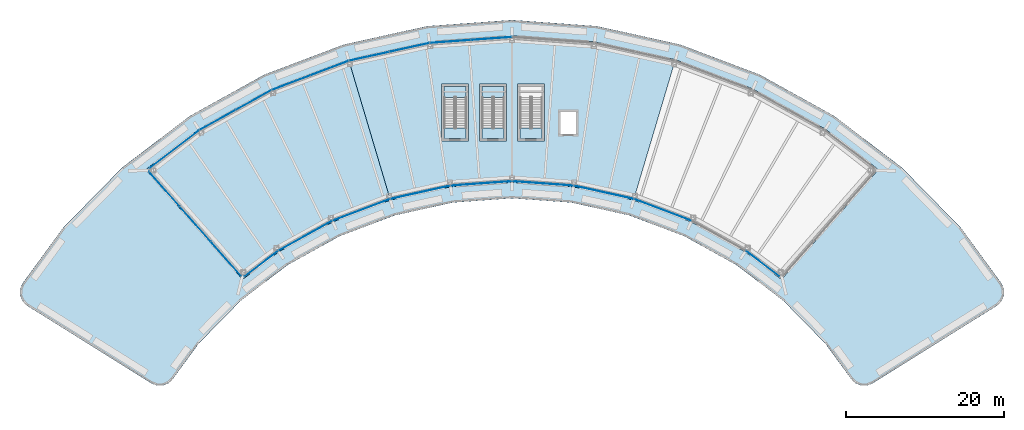
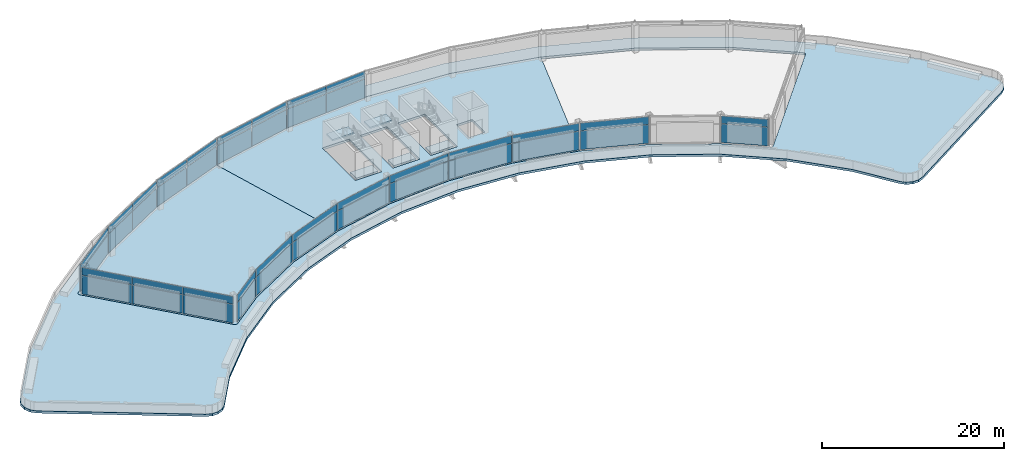
# One storey, part 12 of 17: 42 plates, 8 slabs, 17 elements without a shape of their own.
"""IFC4 building model written with IfcOpenShell, lengths in metres."""

import ifcopenshell
import ifcopenshell.guid

model = None  # the IFC model being written
_history = None  # IfcOwnerHistory: only IFC2X3 demands one
_inside = {}  # id of a spatial element -> (the spatial element, [elements in it])
_under = {}  # id of a project, library or spatial element -> (it, [spatial elements below it])
_declared = {}  # id of a project -> (the project, [libraries it declares])
_typed = {}  # id of a type object -> (the type object, [elements of that type])
_made_of = {}  # id of a material, layer set ... -> (it, [elements and type objects made of it])


def new_model(schema):
    """Start an empty IFC model of exactly this schema.

    Asked for "IFC4X3", IfcOpenShell would pick the latest addendum, in which some entities
    have other attributes; the version numbers below select the first issue.
    IFC2X3 requires an IfcOwnerHistory on every rooted entity: one is made here for all.
    """
    global model, _history
    if schema == "IFC4X3":
        model = ifcopenshell.file(schema_version=(4, 3, 0, 0))
    else:
        model = ifcopenshell.file(schema=schema)
    _inside.clear()
    _under.clear()
    _declared.clear()
    _typed.clear()
    _made_of.clear()
    _history = None
    if model.schema == "IFC2X3":
        org = make("IfcOrganization", Name="unknown")
        user = make(
            "IfcPersonAndOrganization",
            ThePerson=make("IfcPerson", FamilyName="unknown"),
            TheOrganization=org,
        )
        app = make(
            "IfcApplication",
            ApplicationDeveloper=org,
            Version="unknown",
            ApplicationFullName="unknown",
            ApplicationIdentifier="unknown",
        )
        _history = make(
            "IfcOwnerHistory",
            OwningUser=user,
            OwningApplication=app,
            ChangeAction="ADDED",
            CreationDate=0,
        )
    return model


def make(cls, **values):
    """One entity of the class cls with the attributes given. An attribute that is None is left unset."""
    return model.create_entity(
        cls, **{name: value for name, value in values.items() if value is not None}
    )


def rooted(cls, **values):
    """An entity with a GlobalId (a new one), such as an element, a storey or a relation."""
    return make(cls, GlobalId=ifcopenshell.guid.new(), OwnerHistory=_history, **values)


def si_unit(unit_type, name, prefix=None):
    """IfcSIUnit, for example si_unit("LENGTHUNIT", "METRE", prefix="MILLI")."""
    return make("IfcSIUnit", UnitType=unit_type, Prefix=prefix, Name=name)


def assignment(units):
    """IfcUnitAssignment: the units of a project."""
    return None if units is None else make("IfcUnitAssignment", Units=units)


def point(xyz):
    """IfcCartesianPoint."""
    return None if xyz is None else make("IfcCartesianPoint", Coordinates=xyz)


def direction(xyz):
    """IfcDirection."""
    return None if xyz is None else make("IfcDirection", DirectionRatios=xyz)


def frame(location, z_axis=None, x_axis=None):
    """IfcAxis2Placement3D, a coordinate frame: its origin and axes. An axis left out is left unset."""
    return make(
        "IfcAxis2Placement3D",
        Location=point(location),
        Axis=direction(z_axis),
        RefDirection=direction(x_axis),
    )


def frame_2d(location, x_axis=None):
    """IfcAxis2Placement2D, a coordinate frame in the plane: its origin and x axis."""
    return make(
        "IfcAxis2Placement2D", Location=point(location), RefDirection=direction(x_axis)
    )


def origin():
    """The frame at (0, 0, 0) with its axes left unset."""
    return frame((0.0, 0.0, 0.0))


def origin_2d():
    """The frame at (0, 0) in the plane with its x axis left unset."""
    return frame_2d((0.0, 0.0))


def place(relative_to, where):
    """IfcLocalPlacement: puts the frame where relative to a parent placement (None: the world)."""
    return make(
        "IfcLocalPlacement", PlacementRelTo=relative_to, RelativePlacement=where
    )


def context(
    kind, dimensions, precision=None, world=None, true_north=None, identifier=None
):
    """IfcGeometricRepresentationContext, for example the 3D "Model" context."""
    return make(
        "IfcGeometricRepresentationContext",
        ContextIdentifier=identifier,
        ContextType=kind,
        CoordinateSpaceDimension=dimensions,
        Precision=precision,
        WorldCoordinateSystem=world,
        TrueNorth=true_north,
    )


def subcontext(parent, identifier, kind, view, scale=None):
    """IfcGeometricRepresentationSubContext, for example "Body" below "Model"."""
    return make(
        "IfcGeometricRepresentationSubContext",
        ContextIdentifier=identifier,
        ContextType=kind,
        ParentContext=parent,
        TargetScale=scale,
        TargetView=view,
    )


def project(units=None, contexts=None):
    """IfcProject with its units and contexts."""
    return rooted(
        "IfcProject",
        Name="project",
        RepresentationContexts=contexts,
        UnitsInContext=assignment(units),
    )


def spatial(cls, under=None, at=None, **own):
    """A site, building, storey or space (cls), placed at a placement, below another one or the project."""
    s = rooted(cls, ObjectPlacement=at, **own)
    if under is not None:
        _under.setdefault(under.id(), (under, []))[1].append(s)
    return s


def polyline(points):
    """IfcPolyline through the points."""
    return make("IfcPolyline", Points=[point(p) for p in points])


def profile(cls, at=None, kind="AREA", **sizes):
    """A parametric profile (cls). Its sizes go by their IFC names, for example OverallWidth=200.0."""
    return make(cls, ProfileType=kind, Position=at, **sizes)


def rectangle(**sizes):
    """IfcRectangleProfileDef."""
    return profile("IfcRectangleProfileDef", **sizes)


def outline(outer, holes=None, kind="AREA"):
    """IfcArbitraryClosedProfileDef: a profile drawn as a closed curve; with holes, ...WithVoids."""
    if holes is None:
        return make("IfcArbitraryClosedProfileDef", ProfileType=kind, OuterCurve=outer)
    return make(
        "IfcArbitraryProfileDefWithVoids",
        ProfileType=kind,
        OuterCurve=outer,
        InnerCurves=holes,
    )


def extrude(swept, where, along, depth):
    """IfcExtrudedAreaSolid: the profile swept, set in the frame where, extruded along a direction by depth."""
    return make(
        "IfcExtrudedAreaSolid",
        SweptArea=swept,
        Position=where,
        ExtrudedDirection=direction(along),
        Depth=depth,
    )


def shape(context_of_items, identifier, shape_type, items):
    """IfcShapeRepresentation: the items that make up one representation, for example the "Body"."""
    return make(
        "IfcShapeRepresentation",
        ContextOfItems=context_of_items,
        RepresentationIdentifier=identifier,
        RepresentationType=shape_type,
        Items=items,
    )


def material(Name=None, Category=None):
    """IfcMaterial."""
    return make("IfcMaterial", Name=Name, Category=Category)


def layer(
    of_material, thickness, ventilated=None, Name=None, Category=None, Priority=None
):
    """IfcMaterialLayer: one layer of a wall or slab, of a material (None: an air gap)."""
    return make(
        "IfcMaterialLayer",
        Material=of_material,
        LayerThickness=thickness,
        IsVentilated=ventilated,
        Name=Name,
        Category=Category,
        Priority=Priority,
    )


def layer_set(layers, Name=None):
    """IfcMaterialLayerSet."""
    return make("IfcMaterialLayerSet", MaterialLayers=layers, LayerSetName=Name)


def made_of(thing, what):
    """Note that an element or type object is made of a material, layer set ...; save() writes the relation."""
    if what is not None:
        _made_of.setdefault(what.id(), (what, []))[1].append(thing)
    return thing


def type_object(cls, material=None, **own):
    """A type object (cls), such as IfcWallType, which elements share."""
    return made_of(rooted(cls, **own), material)


def element(
    cls,
    number,
    at=None,
    inside=None,
    cuts=None,
    type_object=None,
    material=None,
    context=None,
    identifier="Body",
    shape_type=None,
    held_by="IfcProductDefinitionShape",
    body=None,
    shapes=None,
    **own,
):
    """One element of the class cls, such as IfcWall. Its Tag is "e" and its number.

    at: its placement. inside: the storey or other place that contains it. cuts: it is an
    opening in that element (IfcRelVoidsElement). A single representation is given by context,
    identifier, shape_type and body (its items); several are given by shapes. held_by: the class
    of the entity that holds the representations. save() writes the other relations.
    """
    e = rooted(cls, Tag="e%d" % number, ObjectPlacement=at, **own)
    if body is not None:
        shapes = [shape(context, identifier, shape_type, body)]
    if shapes is not None:
        e.Representation = make(held_by, Representations=shapes)
    if inside is not None:
        _inside.setdefault(inside.id(), (inside, []))[1].append(e)
    if cuts is not None:
        rooted(
            "IfcRelVoidsElement", RelatingBuildingElement=cuts, RelatedOpeningElement=e
        )
    if type_object is not None:
        _typed.setdefault(type_object.id(), (type_object, []))[1].append(e)
    return made_of(e, material)


def aggregate(whole, parts):
    """IfcRelAggregates: a whole, such as a stair, and the parts it consists of."""
    return rooted("IfcRelAggregates", RelatingObject=whole, RelatedObjects=parts)


def save(model, path):
    """Write the relations noted so far, then the file.

    IfcRelAggregates (storeys below a building ...), IfcRelContainedInSpatialStructure (elements
    in a storey), IfcRelDefinesByType, IfcRelAssociatesMaterial and IfcRelDeclares: one each for
    every whole, place, type object, material and project.
    """
    for whole, parts in _under.values():
        aggregate(whole, parts)
    for where, things in _inside.values():
        rooted(
            "IfcRelContainedInSpatialStructure",
            RelatedElements=things,
            RelatingStructure=where,
        )
    for kind, things in _typed.values():
        rooted("IfcRelDefinesByType", RelatedObjects=things, RelatingType=kind)
    for what, things in _made_of.values():
        rooted("IfcRelAssociatesMaterial", RelatedObjects=things, RelatingMaterial=what)
    for by, libraries in _declared.values():
        rooted("IfcRelDeclares", RelatingContext=by, RelatedDefinitions=libraries)
    model.write(path)


model = new_model("IFC4")

# Units and contexts
model_context = context("Model", 3, precision=1e-05, world=origin(), true_north=direction((0.0, 1.0)))
body_context = subcontext(model_context, "Body", "Model", "MODEL_VIEW")
ifc_project = project(units=[si_unit("LENGTHUNIT", "METRE"), si_unit("AREAUNIT", "SQUARE_METRE"), si_unit("VOLUMEUNIT", "CUBIC_METRE"), si_unit("PLANEANGLEUNIT", "RADIAN"), si_unit("MASSUNIT", "GRAM", prefix="KILO")], contexts=[model_context])

# Site, building, storey
site_placement = place(None, origin())
site = spatial("IfcSite", under=ifc_project, at=site_placement, CompositionType="ELEMENT")
building_placement = place(site_placement, origin())
building = spatial("IfcBuilding", under=site, at=building_placement, Name="Tuul Gate Civic Tower", CompositionType="ELEMENT")
storey_placement = place(building_placement, frame((0.0, 0.0, 360.10009765625)))
storey = spatial("IfcBuildingStorey", under=building, at=storey_placement, Name="Crown tier 1 lower", CompositionType="ELEMENT", Elevation=360.10009765625)

# Curtain wall, plates
ifc_material_1 = material(Name="Aluminium", Category="aluminium")
ifc_layer_1 = layer(ifc_material_1, 0.199951171875)
ifc_layer_set_1 = layer_set([ifc_layer_1], Name="Aluminium")
curtain_wall_type = type_object("IfcCurtainWallType", Name="Curtain wall CW5", PredefinedType="NOTDEFINED", material=ifc_layer_set_1)
curtain_wall_1_placement = place(storey_placement, origin())
curtain_wall_1 = element("IfcCurtainWall", 1, at=curtain_wall_1_placement, inside=storey, type_object=curtain_wall_type, Name="Curtain wall CW5", PredefinedType="NOTDEFINED")
ifc_material_2 = material(Name="Insulated glass", Category="glass")
ifc_layer_2 = layer(ifc_material_2, 0.030029296875)
ifc_layer_set_2 = layer_set([ifc_layer_2], Name="Insulated glass")
plate_type = type_object("IfcPlateType", Name="CW5 panel", PredefinedType="CURTAIN_PANEL", material=ifc_layer_set_2)
plate_1_placement = place(storey_placement, frame((-0.429443359375, 12.084228515625, 0.06005859375), z_axis=(0.0, 0.0, 1.0), x_axis=(-0.997388292751, -0.072225988978, 0.0)))
plate_1 = element("IfcPlate", 2, at=plate_1_placement, type_object=plate_type, Name="Panel", PredefinedType="CURTAIN_PANEL", context=body_context, shape_type="SweptSolid", body=[
    extrude(rectangle(XDim=5.13671875, YDim=0.030029296875, at=origin_2d()), origin(), (0.0, 0.0, 1.0), 2.510009765625),
])
plate_2_placement = place(storey_placement, frame((-0.429443359375, 12.084228515625, 2.6298828125), z_axis=(0.0, 0.0, 1.0), x_axis=(-0.997388292751, -0.072225988978, 0.0)))
plate_2 = element("IfcPlate", 3, at=plate_2_placement, type_object=plate_type, Name="Panel", PredefinedType="CURTAIN_PANEL", context=body_context, shape_type="SweptSolid", body=[
    extrude(rectangle(XDim=5.13671875, YDim=0.030029296875, at=origin_2d()), origin(), (0.0, 0.0, 1.0), 1.010009765625),
])
plate_3_placement = place(storey_placement, frame((-5.612548828125, 11.708740234375, 0.06005859375), z_axis=(0.0, 0.0, 1.0), x_axis=(-0.997388292751, -0.072225988978, 0.0)))
plate_3 = element("IfcPlate", 4, at=plate_3_placement, type_object=plate_type, Name="Panel", PredefinedType="CURTAIN_PANEL", context=body_context, shape_type="SweptSolid", body=[
    extrude(rectangle(XDim=5.13671875, YDim=0.030029296875, at=origin_2d()), origin(), (0.0, 0.0, 1.0), 2.510009765625),
])
plate_4_placement = place(storey_placement, frame((-5.612548828125, 11.708740234375, 2.6298828125), z_axis=(0.0, 0.0, 1.0), x_axis=(-0.997388292751, -0.072225988978, 0.0)))
plate_4 = element("IfcPlate", 5, at=plate_4_placement, type_object=plate_type, Name="Panel", PredefinedType="CURTAIN_PANEL", context=body_context, shape_type="SweptSolid", body=[
    extrude(rectangle(XDim=5.13671875, YDim=0.030029296875, at=origin_2d()), origin(), (0.0, 0.0, 1.0), 1.010009765625),
])
aggregate(curtain_wall_1, [plate_1, plate_2, plate_3, plate_4])

curtain_wall_2_placement = place(storey_placement, origin())
curtain_wall_2 = element("IfcCurtainWall", 6, at=curtain_wall_2_placement, inside=storey, type_object=curtain_wall_type, Name="Curtain wall CW5", PredefinedType="NOTDEFINED")
plate_5_placement = place(storey_placement, frame((-10.80029296875, 10.953369140625, 0.06005859375), z_axis=(0.0, 0.0, 1.0), x_axis=(-0.976554839429, -0.215268775226, 0.0)))
plate_5 = element("IfcPlate", 7, at=plate_5_placement, type_object=plate_type, Name="Panel", PredefinedType="CURTAIN_PANEL", context=body_context, shape_type="SweptSolid", body=[
    extrude(rectangle(XDim=5.135986328125, YDim=0.030029296875, at=origin_2d()), origin(), (0.0, 0.0, 1.0), 2.510009765625),
])
plate_6_placement = place(storey_placement, frame((-10.80029296875, 10.953369140625, 2.6298828125), z_axis=(0.0, 0.0, 1.0), x_axis=(-0.976554839429, -0.215268775226, 0.0)))
plate_6 = element("IfcPlate", 8, at=plate_6_placement, type_object=plate_type, Name="Panel", PredefinedType="CURTAIN_PANEL", context=body_context, shape_type="SweptSolid", body=[
    extrude(rectangle(XDim=5.135986328125, YDim=0.030029296875, at=origin_2d()), origin(), (0.0, 0.0, 1.0), 1.010009765625),
])
plate_7_placement = place(storey_placement, frame((-15.87451171875, 9.834716796875, 0.06005859375), z_axis=(0.0, 0.0, 1.0), x_axis=(-0.976554839429, -0.215268775226, 0.0)))
plate_7 = element("IfcPlate", 9, at=plate_7_placement, type_object=plate_type, Name="Panel", PredefinedType="CURTAIN_PANEL", context=body_context, shape_type="SweptSolid", body=[
    extrude(rectangle(XDim=5.135986328125, YDim=0.030029296875, at=origin_2d()), origin(), (0.0, 0.0, 1.0), 2.510009765625),
])
plate_8_placement = place(storey_placement, frame((-15.87451171875, 9.834716796875, 2.6298828125), z_axis=(0.0, 0.0, 1.0), x_axis=(-0.976554839429, -0.215268775226, 0.0)))
plate_8 = element("IfcPlate", 10, at=plate_8_placement, type_object=plate_type, Name="Panel", PredefinedType="CURTAIN_PANEL", context=body_context, shape_type="SweptSolid", body=[
    extrude(rectangle(XDim=5.135986328125, YDim=0.030029296875, at=origin_2d()), origin(), (0.0, 0.0, 1.0), 1.010009765625),
])
aggregate(curtain_wall_2, [plate_5, plate_6, plate_7, plate_8])

curtain_wall_3_placement = place(storey_placement, origin())
curtain_wall_3 = element("IfcCurtainWall", 11, at=curtain_wall_3_placement, inside=storey, type_object=curtain_wall_type, Name="Curtain wall CW5", PredefinedType="NOTDEFINED")
plate_9_placement = place(storey_placement, frame((-20.899169921875, 8.33935546875, 0.06005859375), z_axis=(0.0, 0.0, 1.0), x_axis=(-0.935362404748, -0.353690785552, 0.0)))
plate_9 = element("IfcPlate", 12, at=plate_9_placement, type_object=plate_type, Name="Panel", PredefinedType="CURTAIN_PANEL", context=body_context, shape_type="SweptSolid", body=[
    extrude(rectangle(XDim=5.13623046875, YDim=0.030029296875, at=origin_2d()), origin(), (0.0, 0.0, 1.0), 2.510009765625),
])
plate_10_placement = place(storey_placement, frame((-20.899169921875, 8.33935546875, 2.6298828125), z_axis=(0.0, 0.0, 1.0), x_axis=(-0.935362404748, -0.353690785552, 0.0)))
plate_10 = element("IfcPlate", 13, at=plate_10_placement, type_object=plate_type, Name="Panel", PredefinedType="CURTAIN_PANEL", context=body_context, shape_type="SweptSolid", body=[
    extrude(rectangle(XDim=5.13623046875, YDim=0.030029296875, at=origin_2d()), origin(), (0.0, 0.0, 1.0), 1.010009765625),
])
plate_11_placement = place(storey_placement, frame((-25.759765625, 6.50146484375, 0.06005859375), z_axis=(0.0, 0.0, 1.0), x_axis=(-0.935362404748, -0.353690785552, 0.0)))
plate_11 = element("IfcPlate", 14, at=plate_11_placement, type_object=plate_type, Name="Panel", PredefinedType="CURTAIN_PANEL", context=body_context, shape_type="SweptSolid", body=[
    extrude(rectangle(XDim=5.13623046875, YDim=0.030029296875, at=origin_2d()), origin(), (0.0, 0.0, 1.0), 2.510009765625),
])
plate_12_placement = place(storey_placement, frame((-25.759765625, 6.50146484375, 2.6298828125), z_axis=(0.0, 0.0, 1.0), x_axis=(-0.935362404748, -0.353690785552, 0.0)))
plate_12 = element("IfcPlate", 15, at=plate_12_placement, type_object=plate_type, Name="Panel", PredefinedType="CURTAIN_PANEL", context=body_context, shape_type="SweptSolid", body=[
    extrude(rectangle(XDim=5.13623046875, YDim=0.030029296875, at=origin_2d()), origin(), (0.0, 0.0, 1.0), 1.010009765625),
])
aggregate(curtain_wall_3, [plate_9, plate_10, plate_11, plate_12])

curtain_wall_4_placement = place(storey_placement, origin())
curtain_wall_4 = element("IfcCurtainWall", 16, at=curtain_wall_4_placement, inside=storey, type_object=curtain_wall_type, Name="Curtain wall CW5", PredefinedType="NOTDEFINED")
plate_13_placement = place(storey_placement, frame((-30.516845703125, 4.297607421875, 0.06005859375), z_axis=(0.0, 0.0, 1.0), x_axis=(-0.874621640227, -0.484806132848, 0.0)))
plate_13 = element("IfcPlate", 17, at=plate_13_placement, type_object=plate_type, Name="Panel", PredefinedType="CURTAIN_PANEL", context=body_context, shape_type="SweptSolid", body=[
    extrude(rectangle(XDim=5.13671875, YDim=0.030029296875, at=origin_2d()), origin(), (0.0, 0.0, 1.0), 2.510009765625),
])
plate_14_placement = place(storey_placement, frame((-30.516845703125, 4.297607421875, 2.6298828125), z_axis=(0.0, 0.0, 1.0), x_axis=(-0.874621640227, -0.484806132848, 0.0)))
plate_14 = element("IfcPlate", 18, at=plate_14_placement, type_object=plate_type, Name="Panel", PredefinedType="CURTAIN_PANEL", context=body_context, shape_type="SweptSolid", body=[
    extrude(rectangle(XDim=5.13671875, YDim=0.030029296875, at=origin_2d()), origin(), (0.0, 0.0, 1.0), 1.010009765625),
])
plate_15_placement = place(storey_placement, frame((-35.06201171875, 1.7783203125, 0.06005859375), z_axis=(0.0, 0.0, 1.0), x_axis=(-0.874621640227, -0.484806132848, 0.0)))
plate_15 = element("IfcPlate", 19, at=plate_15_placement, type_object=plate_type, Name="Panel", PredefinedType="CURTAIN_PANEL", context=body_context, shape_type="SweptSolid", body=[
    extrude(rectangle(XDim=5.13671875, YDim=0.030029296875, at=origin_2d()), origin(), (0.0, 0.0, 1.0), 2.510009765625),
])
plate_16_placement = place(storey_placement, frame((-35.06201171875, 1.7783203125, 2.6298828125), z_axis=(0.0, 0.0, 1.0), x_axis=(-0.874621640227, -0.484806132848, 0.0)))
plate_16 = element("IfcPlate", 20, at=plate_16_placement, type_object=plate_type, Name="Panel", PredefinedType="CURTAIN_PANEL", context=body_context, shape_type="SweptSolid", body=[
    extrude(rectangle(XDim=5.13671875, YDim=0.030029296875, at=origin_2d()), origin(), (0.0, 0.0, 1.0), 1.010009765625),
])
aggregate(curtain_wall_4, [plate_13, plate_14, plate_15, plate_16])

curtain_wall_5_placement = place(storey_placement, origin())
curtain_wall_5 = element("IfcCurtainWall", 21, at=curtain_wall_5_placement, inside=storey, type_object=curtain_wall_type, Name="Curtain wall CW5", PredefinedType="NOTDEFINED")
plate_17_placement = place(storey_placement, frame((-40.533447265625, -1.91162109375, 0.06005859375), z_axis=(0.0, 0.0, 1.0), x_axis=(-0.795630294112, -0.605782498172, 0.0)))
plate_17 = element("IfcPlate", 22, at=plate_17_placement, type_object=plate_type, Name="Panel", PredefinedType="CURTAIN_PANEL", context=body_context, shape_type="SweptSolid", body=[
    extrude(rectangle(XDim=7.854736328125, YDim=0.030029296875, at=origin_2d()), origin(), (0.0, 0.0, 1.0), 2.510009765625),
])
plate_18_placement = place(storey_placement, frame((-40.533447265625, -1.91162109375, 2.6298828125), z_axis=(0.0, 0.0, 1.0), x_axis=(-0.795630294112, -0.605782498172, 0.0)))
plate_18 = element("IfcPlate", 23, at=plate_18_placement, type_object=plate_type, Name="Panel", PredefinedType="CURTAIN_PANEL", context=body_context, shape_type="SweptSolid", body=[
    extrude(rectangle(XDim=7.854736328125, YDim=0.030029296875, at=origin_2d()), origin(), (0.0, 0.0, 1.0), 1.010009765625),
])
aggregate(curtain_wall_5, [plate_17, plate_18])

curtain_wall_6_placement = place(storey_placement, origin())
curtain_wall_6 = element("IfcCurtainWall", 24, at=curtain_wall_6_placement, inside=storey, type_object=curtain_wall_type, Name="Curtain wall CW5", PredefinedType="NOTDEFINED")
plate_19_placement = place(storey_placement, frame((-41.79296875, -6.98046875, 0.06005859375), z_axis=(0.0, 0.0, 1.0), x_axis=(0.661672241153, -0.749793201681, 0.0)))
plate_19 = element("IfcPlate", 25, at=plate_19_placement, type_object=plate_type, Name="Panel", PredefinedType="CURTAIN_PANEL", context=body_context, shape_type="SweptSolid", body=[
    extrude(rectangle(XDim=5.7919921875, YDim=0.030029296875, at=origin_2d()), origin(), (0.0, 0.0, 1.0), 2.510009765625),
])
plate_20_placement = place(storey_placement, frame((-41.79296875, -6.98046875, 2.6298828125), z_axis=(0.0, 0.0, 1.0), x_axis=(0.661672241153, -0.749793201681, 0.0)))
plate_20 = element("IfcPlate", 26, at=plate_20_placement, type_object=plate_type, Name="Panel", PredefinedType="CURTAIN_PANEL", context=body_context, shape_type="SweptSolid", body=[
    extrude(rectangle(XDim=5.7919921875, YDim=0.030029296875, at=origin_2d()), origin(), (0.0, 0.0, 1.0), 1.010009765625),
])
plate_21_placement = place(storey_placement, frame((-37.910888671875, -11.37939453125, 0.06005859375), z_axis=(0.0, 0.0, 1.0), x_axis=(0.661672241153, -0.749793201681, 0.0)))
plate_21 = element("IfcPlate", 27, at=plate_21_placement, type_object=plate_type, Name="Panel", PredefinedType="CURTAIN_PANEL", context=body_context, shape_type="SweptSolid", body=[
    extrude(rectangle(XDim=5.822021484375, YDim=0.030029296875, at=origin_2d()), origin(), (0.0, 0.0, 1.0), 2.510009765625),
])
plate_22_placement = place(storey_placement, frame((-37.910888671875, -11.37939453125, 2.6298828125), z_axis=(0.0, 0.0, 1.0), x_axis=(0.661672241153, -0.749793201681, 0.0)))
plate_22 = element("IfcPlate", 28, at=plate_22_placement, type_object=plate_type, Name="Panel", PredefinedType="CURTAIN_PANEL", context=body_context, shape_type="SweptSolid", body=[
    extrude(rectangle(XDim=5.822021484375, YDim=0.030029296875, at=origin_2d()), origin(), (0.0, 0.0, 1.0), 1.010009765625),
])
plate_23_placement = place(storey_placement, frame((-34.02880859375, -15.778564453125, 0.06005859375), z_axis=(0.0, 0.0, 1.0), x_axis=(0.661672241153, -0.749793201681, 0.0)))
plate_23 = element("IfcPlate", 29, at=plate_23_placement, type_object=plate_type, Name="Panel", PredefinedType="CURTAIN_PANEL", context=body_context, shape_type="SweptSolid", body=[
    extrude(rectangle(XDim=5.7919921875, YDim=0.030029296875, at=origin_2d()), origin(), (0.0, 0.0, 1.0), 2.510009765625),
])
plate_24_placement = place(storey_placement, frame((-34.02880859375, -15.778564453125, 2.6298828125), z_axis=(0.0, 0.0, 1.0), x_axis=(0.661672241153, -0.749793201681, 0.0)))
plate_24 = element("IfcPlate", 30, at=plate_24_placement, type_object=plate_type, Name="Panel", PredefinedType="CURTAIN_PANEL", context=body_context, shape_type="SweptSolid", body=[
    extrude(rectangle(XDim=5.7919921875, YDim=0.030029296875, at=origin_2d()), origin(), (0.0, 0.0, 1.0), 1.010009765625),
])
aggregate(curtain_wall_6, [plate_19, plate_20, plate_21, plate_22, plate_23, plate_24])

curtain_wall_7_placement = place(storey_placement, origin())
curtain_wall_7 = element("IfcCurtainWall", 31, at=curtain_wall_7_placement, inside=storey, type_object=curtain_wall_type, Name="Curtain wall CW5", PredefinedType="NOTDEFINED")
plate_25_placement = place(storey_placement, frame((-29.52490234375, -16.405029296875, 0.06005859375), z_axis=(0.0, 0.0, 1.0), x_axis=(0.79565346998, 0.605752057949, 0.0)))
plate_25 = element("IfcPlate", 32, at=plate_25_placement, type_object=plate_type, Name="Panel", PredefinedType="CURTAIN_PANEL", context=body_context, shape_type="SweptSolid", body=[
    extrude(rectangle(XDim=5.26171875, YDim=0.030029296875, at=origin_2d()), origin(), (0.0, 0.0, 1.0), 2.510009765625),
])
plate_26_placement = place(storey_placement, frame((-29.52490234375, -16.405029296875, 2.6298828125), z_axis=(0.0, 0.0, 1.0), x_axis=(0.79565346998, 0.605752057949, 0.0)))
plate_26 = element("IfcPlate", 33, at=plate_26_placement, type_object=plate_type, Name="Panel", PredefinedType="CURTAIN_PANEL", context=body_context, shape_type="SweptSolid", body=[
    extrude(rectangle(XDim=5.26171875, YDim=0.030029296875, at=origin_2d()), origin(), (0.0, 0.0, 1.0), 1.010009765625),
])
aggregate(curtain_wall_7, [plate_25, plate_26])

curtain_wall_8_placement = place(storey_placement, origin())
curtain_wall_8 = element("IfcCurtainWall", 34, at=curtain_wall_8_placement, inside=storey, type_object=curtain_wall_type, Name="Curtain wall CW5", PredefinedType="NOTDEFINED")
plate_27_placement = place(storey_placement, frame((-23.966064453125, -12.880615234375, 0.06005859375), z_axis=(0.0, 0.0, 1.0), x_axis=(0.874633631917, 0.484784498431, 0.0)))
plate_27 = element("IfcPlate", 35, at=plate_27_placement, type_object=plate_type, Name="Panel", PredefinedType="CURTAIN_PANEL", context=body_context, shape_type="SweptSolid", body=[
    extrude(rectangle(XDim=7.69580078125, YDim=0.030029296875, at=origin_2d()), origin(), (0.0, 0.0, 1.0), 2.510009765625),
])
plate_28_placement = place(storey_placement, frame((-23.966064453125, -12.880615234375, 2.6298828125), z_axis=(0.0, 0.0, 1.0), x_axis=(0.874633631917, 0.484784498431, 0.0)))
plate_28 = element("IfcPlate", 36, at=plate_28_placement, type_object=plate_type, Name="Panel", PredefinedType="CURTAIN_PANEL", context=body_context, shape_type="SweptSolid", body=[
    extrude(rectangle(XDim=7.69580078125, YDim=0.030029296875, at=origin_2d()), origin(), (0.0, 0.0, 1.0), 1.010009765625),
])
aggregate(curtain_wall_8, [plate_27, plate_28])

curtain_wall_9_placement = place(storey_placement, origin())
curtain_wall_9 = element("IfcCurtainWall", 37, at=curtain_wall_9_placement, inside=storey, type_object=curtain_wall_type, Name="Curtain wall CW5", PredefinedType="NOTDEFINED")
plate_29_placement = place(storey_placement, frame((-16.892578125, -9.603515625, 0.06005859375), z_axis=(0.0, 0.0, 1.0), x_axis=(0.935342325143, 0.353743883051, 0.0)))
plate_29 = element("IfcPlate", 38, at=plate_29_placement, type_object=plate_type, Name="Panel", PredefinedType="CURTAIN_PANEL", context=body_context, shape_type="SweptSolid", body=[
    extrude(rectangle(XDim=7.6962890625, YDim=0.030029296875, at=origin_2d()), origin(), (0.0, 0.0, 1.0), 2.510009765625),
])
plate_30_placement = place(storey_placement, frame((-16.892578125, -9.603515625, 2.6298828125), z_axis=(0.0, 0.0, 1.0), x_axis=(0.935342325143, 0.353743883051, 0.0)))
plate_30 = element("IfcPlate", 39, at=plate_30_placement, type_object=plate_type, Name="Panel", PredefinedType="CURTAIN_PANEL", context=body_context, shape_type="SweptSolid", body=[
    extrude(rectangle(XDim=7.6962890625, YDim=0.030029296875, at=origin_2d()), origin(), (0.0, 0.0, 1.0), 1.010009765625),
])
aggregate(curtain_wall_9, [plate_29, plate_30])

curtain_wall_10_placement = place(storey_placement, origin())
curtain_wall_10 = element("IfcCurtainWall", 40, at=curtain_wall_10_placement, inside=storey, type_object=curtain_wall_type, Name="Curtain wall CW5", PredefinedType="NOTDEFINED")
plate_31_placement = place(storey_placement, frame((-9.42041015625, -7.3798828125, 0.06005859375), z_axis=(0.0, 0.0, 1.0), x_axis=(0.976570847262, 0.215196143732, 0.0)))
plate_31 = element("IfcPlate", 41, at=plate_31_placement, type_object=plate_type, Name="Panel", PredefinedType="CURTAIN_PANEL", context=body_context, shape_type="SweptSolid", body=[
    extrude(rectangle(XDim=7.696044921875, YDim=0.030029296875, at=origin_2d()), origin(), (0.0, 0.0, 1.0), 2.510009765625),
])
plate_32_placement = place(storey_placement, frame((-9.42041015625, -7.3798828125, 2.6298828125), z_axis=(0.0, 0.0, 1.0), x_axis=(0.976570847262, 0.215196143732, 0.0)))
plate_32 = element("IfcPlate", 42, at=plate_32_placement, type_object=plate_type, Name="Panel", PredefinedType="CURTAIN_PANEL", context=body_context, shape_type="SweptSolid", body=[
    extrude(rectangle(XDim=7.696044921875, YDim=0.030029296875, at=origin_2d()), origin(), (0.0, 0.0, 1.0), 1.010009765625),
])
aggregate(curtain_wall_10, [plate_31, plate_32])

curtain_wall_11_placement = place(storey_placement, origin())
curtain_wall_11 = element("IfcCurtainWall", 43, at=curtain_wall_11_placement, inside=storey, type_object=curtain_wall_type, Name="Curtain wall CW5", PredefinedType="NOTDEFINED")
plate_33_placement = place(storey_placement, frame((-1.7060546875, -6.256591796875, 0.06005859375), z_axis=(0.0, 0.0, 1.0), x_axis=(0.997384127661, 0.072283482832, 0.0)))
plate_33 = element("IfcPlate", 44, at=plate_33_placement, type_object=plate_type, Name="Panel", PredefinedType="CURTAIN_PANEL", context=body_context, shape_type="SweptSolid", body=[
    extrude(rectangle(XDim=7.696533203125, YDim=0.030029296875, at=origin_2d()), origin(), (0.0, 0.0, 1.0), 2.510009765625),
])
plate_34_placement = place(storey_placement, frame((-1.7060546875, -6.256591796875, 2.6298828125), z_axis=(0.0, 0.0, 1.0), x_axis=(0.997384127661, 0.072283482832, 0.0)))
plate_34 = element("IfcPlate", 45, at=plate_34_placement, type_object=plate_type, Name="Panel", PredefinedType="CURTAIN_PANEL", context=body_context, shape_type="SweptSolid", body=[
    extrude(rectangle(XDim=7.696533203125, YDim=0.030029296875, at=origin_2d()), origin(), (0.0, 0.0, 1.0), 1.010009765625),
])
aggregate(curtain_wall_11, [plate_33, plate_34])

curtain_wall_12_placement = place(storey_placement, origin())
curtain_wall_12 = element("IfcCurtainWall", 46, at=curtain_wall_12_placement, inside=storey, type_object=curtain_wall_type, Name="Curtain wall CW5", PredefinedType="NOTDEFINED")
plate_35_placement = place(storey_placement, frame((6.090087890625, -6.256591796875, 0.06005859375), z_axis=(0.0, 0.0, 1.0), x_axis=(0.997384127661, -0.072283482832, 0.0)))
plate_35 = element("IfcPlate", 47, at=plate_35_placement, type_object=plate_type, Name="Panel", PredefinedType="CURTAIN_PANEL", context=body_context, shape_type="SweptSolid", body=[
    extrude(rectangle(XDim=7.696533203125, YDim=0.030029296875, at=origin_2d()), origin(), (0.0, 0.0, 1.0), 2.510009765625),
])
plate_36_placement = place(storey_placement, frame((6.090087890625, -6.256591796875, 2.6298828125), z_axis=(0.0, 0.0, 1.0), x_axis=(0.997384127661, -0.072283482832, 0.0)))
plate_36 = element("IfcPlate", 48, at=plate_36_placement, type_object=plate_type, Name="Panel", PredefinedType="CURTAIN_PANEL", context=body_context, shape_type="SweptSolid", body=[
    extrude(rectangle(XDim=7.696533203125, YDim=0.030029296875, at=origin_2d()), origin(), (0.0, 0.0, 1.0), 1.010009765625),
])
aggregate(curtain_wall_12, [plate_35, plate_36])

curtain_wall_13_placement = place(storey_placement, origin())
curtain_wall_13 = element("IfcCurtainWall", 49, at=curtain_wall_13_placement, inside=storey, type_object=curtain_wall_type, Name="Curtain wall CW5", PredefinedType="NOTDEFINED")
plate_37_placement = place(storey_placement, frame((13.804443359375, -7.3798828125, 0.06005859375), z_axis=(0.0, 0.0, 1.0), x_axis=(0.976570847262, -0.215196143732, 0.0)))
plate_37 = element("IfcPlate", 50, at=plate_37_placement, type_object=plate_type, Name="Panel", PredefinedType="CURTAIN_PANEL", context=body_context, shape_type="SweptSolid", body=[
    extrude(rectangle(XDim=7.696044921875, YDim=0.030029296875, at=origin_2d()), origin(), (0.0, 0.0, 1.0), 2.510009765625),
])
plate_38_placement = place(storey_placement, frame((13.804443359375, -7.3798828125, 2.6298828125), z_axis=(0.0, 0.0, 1.0), x_axis=(0.976570847262, -0.215196143732, 0.0)))
plate_38 = element("IfcPlate", 51, at=plate_38_placement, type_object=plate_type, Name="Panel", PredefinedType="CURTAIN_PANEL", context=body_context, shape_type="SweptSolid", body=[
    extrude(rectangle(XDim=7.696044921875, YDim=0.030029296875, at=origin_2d()), origin(), (0.0, 0.0, 1.0), 1.010009765625),
])
aggregate(curtain_wall_13, [plate_37, plate_38])

curtain_wall_14_placement = place(storey_placement, origin())
curtain_wall_14 = element("IfcCurtainWall", 52, at=curtain_wall_14_placement, inside=storey, type_object=curtain_wall_type, Name="Curtain wall CW5", PredefinedType="NOTDEFINED")
plate_39_placement = place(storey_placement, frame((21.276611328125, -9.603515625, 0.06005859375), z_axis=(0.0, 0.0, 1.0), x_axis=(0.935342325143, -0.353743883051, 0.0)))
plate_39 = element("IfcPlate", 53, at=plate_39_placement, type_object=plate_type, Name="Panel", PredefinedType="CURTAIN_PANEL", context=body_context, shape_type="SweptSolid", body=[
    extrude(rectangle(XDim=7.6962890625, YDim=0.030029296875, at=origin_2d()), origin(), (0.0, 0.0, 1.0), 2.510009765625),
])
plate_40_placement = place(storey_placement, frame((21.276611328125, -9.603515625, 2.6298828125), z_axis=(0.0, 0.0, 1.0), x_axis=(0.935342325143, -0.353743883051, 0.0)))
plate_40 = element("IfcPlate", 54, at=plate_40_placement, type_object=plate_type, Name="Panel", PredefinedType="CURTAIN_PANEL", context=body_context, shape_type="SweptSolid", body=[
    extrude(rectangle(XDim=7.6962890625, YDim=0.030029296875, at=origin_2d()), origin(), (0.0, 0.0, 1.0), 1.010009765625),
])
aggregate(curtain_wall_14, [plate_39, plate_40])

curtain_wall_15_placement = place(storey_placement, origin())
curtain_wall_15 = element("IfcCurtainWall", 55, at=curtain_wall_15_placement, inside=storey, type_object=curtain_wall_type, Name="Curtain wall CW5", PredefinedType="NOTDEFINED")
plate_41_placement = place(storey_placement, frame((33.908935546875, -16.405029296875, 0.06005859375), z_axis=(0.0, 0.0, 1.0), x_axis=(0.79565346998, -0.605752057949, 0.0)))
plate_41 = element("IfcPlate", 56, at=plate_41_placement, type_object=plate_type, Name="Panel", PredefinedType="CURTAIN_PANEL", context=body_context, shape_type="SweptSolid", body=[
    extrude(rectangle(XDim=5.26171875, YDim=0.030029296875, at=origin_2d()), origin(), (0.0, 0.0, 1.0), 2.510009765625),
])
plate_42_placement = place(storey_placement, frame((33.908935546875, -16.405029296875, 2.6298828125), z_axis=(0.0, 0.0, 1.0), x_axis=(0.79565346998, -0.605752057949, 0.0)))
plate_42 = element("IfcPlate", 57, at=plate_42_placement, type_object=plate_type, Name="Panel", PredefinedType="CURTAIN_PANEL", context=body_context, shape_type="SweptSolid", body=[
    extrude(rectangle(XDim=5.26171875, YDim=0.030029296875, at=origin_2d()), origin(), (0.0, 0.0, 1.0), 1.010009765625),
])
aggregate(curtain_wall_15, [plate_41, plate_42])

# Stair, slab
ifc_material_3 = material(Name="Concrete C40/50", Category="concrete")
stair_type = type_object("IfcStairType", Name="Exit stair", PredefinedType="HALF_TURN_STAIR", material=ifc_material_3)
stair_1_placement = place(storey_placement, origin())
stair_1 = element("IfcStair", 58, at=stair_1_placement, inside=storey, type_object=stair_type, Name="Crown tier 1 lower ST-5", PredefinedType="HALF_TURN_STAIR")
ifc_material_4 = material(Name="Concrete C40/50", Category="concrete")
ifc_layer_3 = layer(ifc_material_4, 0.199951171875)
ifc_layer_set_3 = layer_set([ifc_layer_3], Name="Concrete C40/50")
slab_type_1 = type_object("IfcSlabType", Name="Exit stair landing", PredefinedType="LANDING", material=ifc_layer_set_3)
slab_1_placement = place(storey_placement, frame((0.0, 0.0, 1.7998046875)))
slab_1 = element("IfcSlab", 59, at=slab_1_placement, type_object=slab_type_1, Name="ST-5 landing 1", PredefinedType="LANDING", context=body_context, shape_type="SweptSolid", body=[
    extrude(outline(polyline([(-3.59912109375, 4.649169921875), (-6.40087890625, 4.649169921875), (-6.40087890625, 6.000732421875), (-3.59912109375, 6.000732421875), (-3.59912109375, 4.649169921875)])), origin(), (0.0, 0.0, 1.0), 0.2001953125),
])
aggregate(stair_1, [slab_1])

stair_2_placement = place(storey_placement, origin())
stair_2 = element("IfcStair", 60, at=stair_2_placement, inside=storey, type_object=stair_type, Name="Crown tier 1 lower ST-6", PredefinedType="HALF_TURN_STAIR")
slab_2_placement = place(storey_placement, frame((0.0, 0.0, 1.7998046875)))
slab_2 = element("IfcSlab", 61, at=slab_2_placement, type_object=slab_type_1, Name="ST-6 landing 1", PredefinedType="LANDING", context=body_context, shape_type="SweptSolid", body=[
    extrude(outline(polyline([(1.20068359375, 4.649169921875), (-1.600830078125, 4.649169921875), (-1.600830078125, 6.000732421875), (1.20068359375, 6.000732421875), (1.20068359375, 4.649169921875)])), origin(), (0.0, 0.0, 1.0), 0.2001953125),
])
aggregate(stair_2, [slab_2])

# Slabs
ifc_material_5 = material(Name="Concrete C35/45", Category="concrete")
ifc_layer_4 = layer(ifc_material_5, 0.300048828125)
ifc_layer_set_4 = layer_set([ifc_layer_4], Name="Concrete C35/45")
slab_type_2 = type_object("IfcSlabType", Name="STR-FLOOR-SLAB-300", PredefinedType="FLOOR", material=ifc_layer_set_4)
slab_3_placement = place(storey_placement, frame((0.0, 0.0, -0.300048828125)))
element("IfcSlab", 62, at=slab_3_placement, inside=storey, type_object=slab_type_2, Name="Crown tier 1 lower/slab/W", PredefinedType="FLOOR", context=body_context, shape_type="SweptSolid", body=[
    extrude(outline(polyline([(-20.485107421875, -11.1220703125), (-13.194091796875, -8.364990234375), (-18.48388671875, 9.4130859375), (-28.281982421875, 5.7080078125), (-37.443115234375, 0.6298828125), (-43.925048828125, -4.304931640625), (-44.0048828125, -4.39794921875), (-44.0419921875, -4.514892578125), (-44.028076171875, -4.635986328125), (-43.968017578125, -4.742919921875), (-32.093017578125, -18.198974609375), (-32.00390625, -18.26708984375), (-31.89697265625, -18.299072265625), (-31.785888671875, -18.2890625), (-31.68603515625, -18.239013671875), (-27.302001953125, -14.90087890625), (-20.485107421875, -11.1220703125)])), origin(), (0.0, 0.0, 1.0), 0.300048828125),
])
slab_4_placement = place(storey_placement, frame((0.0, 0.0, -0.300048828125)))
element("IfcSlab", 63, at=slab_4_placement, inside=storey, type_object=slab_type_2, Name="Crown tier 1 lower/slab/M", PredefinedType="FLOOR", context=body_context, shape_type="SweptSolid", body=[
    extrude(outline(polyline([(17.577880859375, -8.364990234375), (22.867919921875, 9.4130859375), (12.638916015625, 11.6669921875), (2.19189453125, 12.424072265625), (-8.2548828125, 11.6669921875), (-18.48388671875, 9.4130859375), (-13.194091796875, -8.364990234375), (-5.58203125, -6.68798828125), (2.19189453125, -6.1240234375), (9.966064453125, -6.68798828125), (17.577880859375, -8.364990234375)]), holes=[polyline([(10.300048828125, 0.0), (8.300048828125, 0.0), (8.300048828125, 2.800048828125), (10.300048828125, 2.800048828125), (10.300048828125, 0.0)]), polyline([(-6.7099609375, -0.909912109375), (-6.7099609375, 6.31005859375), (-3.2900390625, 6.31005859375), (-3.2900390625, -0.909912109375), (-6.7099609375, -0.909912109375)]), polyline([(-1.909912109375, -0.909912109375), (-1.909912109375, 6.31005859375), (1.510009765625, 6.31005859375), (1.510009765625, -0.909912109375), (-1.909912109375, -0.909912109375)]), polyline([(2.889892578125, -0.909912109375), (2.889892578125, 6.31005859375), (6.31005859375, 6.31005859375), (6.31005859375, -0.909912109375), (2.889892578125, -0.909912109375)])]), origin(), (0.0, 0.0, 1.0), 0.300048828125),
])
slab_5_placement = place(storey_placement, frame((0.0, 0.0, -0.300048828125)))
element("IfcSlab", 64, at=slab_5_placement, inside=storey, type_object=slab_type_2, Name="Crown tier 1 lower/slab/M2", PredefinedType="FLOOR", context=body_context, shape_type="SweptSolid", body=[
    extrude(outline(polyline([(-3.610107421875, 0.75), (-6.389892578125, 0.75), (-6.389892578125, -0.590087890625), (-3.610107421875, -0.590087890625), (-3.610107421875, 0.75)])), origin(), (0.0, 0.0, 1.0), 0.300048828125),
])
slab_6_placement = place(storey_placement, frame((0.0, 0.0, -0.300048828125)))
element("IfcSlab", 65, at=slab_6_placement, inside=storey, type_object=slab_type_2, Name="Crown tier 1 lower/slab/M3", PredefinedType="FLOOR", context=body_context, shape_type="SweptSolid", body=[
    extrude(outline(polyline([(1.18994140625, 0.75), (-1.590087890625, 0.75), (-1.590087890625, -0.590087890625), (1.18994140625, -0.590087890625), (1.18994140625, 0.75)])), origin(), (0.0, 0.0, 1.0), 0.300048828125),
])
slab_7_placement = place(storey_placement, frame((0.0, 0.0, -0.300048828125)))
element("IfcSlab", 66, at=slab_7_placement, inside=storey, type_object=slab_type_2, Name="Crown tier 1 lower/slab/M4", PredefinedType="FLOOR", context=body_context, shape_type="SweptSolid", body=[
    extrude(outline(polyline([(3.2099609375, 0.75), (3.2099609375, -0.590087890625), (5.989990234375, -0.590087890625), (5.989990234375, 0.75), (3.2099609375, 0.75)])), origin(), (0.0, 0.0, 1.0), 0.300048828125),
])
ifc_material_6 = material(Name="Concrete C40/50", Category="concrete")
ifc_layer_5 = layer(ifc_material_6, 0.300048828125)
ifc_layer_set_5 = layer_set([ifc_layer_5], Name="Concrete C40/50")
slab_type_3 = type_object("IfcSlabType", Name="STR-GREEN-ROOF-SLAB-300", PredefinedType="ROOF", material=ifc_layer_set_5)
slab_8_placement = place(storey_placement, frame((0.0, 0.0, -0.300048828125)))
element("IfcSlab", 67, at=slab_8_placement, inside=storey, type_object=slab_type_3, Name="Crown tier 1 lower/terrace/1", PredefinedType="ROOF", context=body_context, shape_type="SweptSolid", body=[
    extrude(outline(polyline([(47.818115234375, -31.56005859375), (47.1240234375, -31.830078125), (46.37890625, -31.827880859375), (45.68701171875, -31.552978515625), (45.14306640625, -31.0439453125), (41.81396484375, -26.486083984375), (36.56103515625, -21.1259765625), (30.590087890625, -16.580078125), (24.02587890625, -12.94189453125), (17.006103515625, -10.287109375), (9.677001953125, -8.672119140625), (2.19189453125, -8.1298828125), (-5.29296875, -8.672119140625), (-12.6220703125, -10.287109375), (-19.64208984375, -12.94189453125), (-26.2060546875, -16.580078125), (-32.177001953125, -21.1259765625), (-37.429931640625, -26.486083984375), (-40.759033203125, -31.0439453125), (-41.302978515625, -31.552978515625), (-41.9951171875, -31.827880859375), (-42.739990234375, -31.830078125), (-43.43408203125, -31.56005859375), (-59.1640625, -21.73095703125), (-59.7529296875, -21.1669921875), (-60.068115234375, -20.4140625), (-60.055908203125, -19.597900390625), (-59.718994140625, -18.85498046875), (-54.638916015625, -11.89892578125), (-47.10400390625, -4.2119140625), (-38.5390625, 2.30908203125), (-29.125, 7.528076171875), (-19.055908203125, 11.3349609375), (-8.5439453125, 13.652099609375), (2.19189453125, 14.428955078125), (12.927978515625, 13.652099609375), (23.43994140625, 11.3349609375), (33.509033203125, 7.528076171875), (42.923095703125, 2.30908203125), (51.488037109375, -4.2119140625), (59.02294921875, -11.89892578125), (64.10302734375, -18.85498046875), (64.43994140625, -19.597900390625), (64.451904296875, -20.4140625), (64.136962890625, -21.1669921875), (63.548095703125, -21.73095703125), (47.818115234375, -31.56005859375)]), holes=[polyline([(48.412109375, -4.635986328125), (48.426025390625, -4.514892578125), (48.388916015625, -4.39794921875), (48.30908203125, -4.304931640625), (41.826904296875, 0.6298828125), (32.666015625, 5.7080078125), (22.867919921875, 9.4130859375), (12.638916015625, 11.6669921875), (2.19189453125, 12.424072265625), (-8.2548828125, 11.6669921875), (-18.48388671875, 9.4130859375), (-28.281982421875, 5.7080078125), (-37.443115234375, 0.6298828125), (-43.925048828125, -4.304931640625), (-44.0048828125, -4.39794921875), (-44.0419921875, -4.514892578125), (-44.028076171875, -4.635986328125), (-43.968017578125, -4.742919921875), (-32.093017578125, -18.198974609375), (-32.00390625, -18.26708984375), (-31.89697265625, -18.299072265625), (-31.785888671875, -18.2890625), (-31.68603515625, -18.239013671875), (-27.302001953125, -14.90087890625), (-20.485107421875, -11.1220703125), (-13.194091796875, -8.364990234375), (-5.58203125, -6.68798828125), (2.19189453125, -6.1240234375), (9.966064453125, -6.68798828125), (17.577880859375, -8.364990234375), (24.868896484375, -11.1220703125), (31.68603515625, -14.90087890625), (36.070068359375, -18.239013671875), (36.169921875, -18.2890625), (36.281005859375, -18.299072265625), (36.387939453125, -18.26708984375), (36.47705078125, -18.198974609375), (48.35205078125, -4.742919921875), (48.412109375, -4.635986328125)])]), origin(), (0.0, 0.0, 1.0), 0.300048828125),
])

save(model, "model.ifc")
